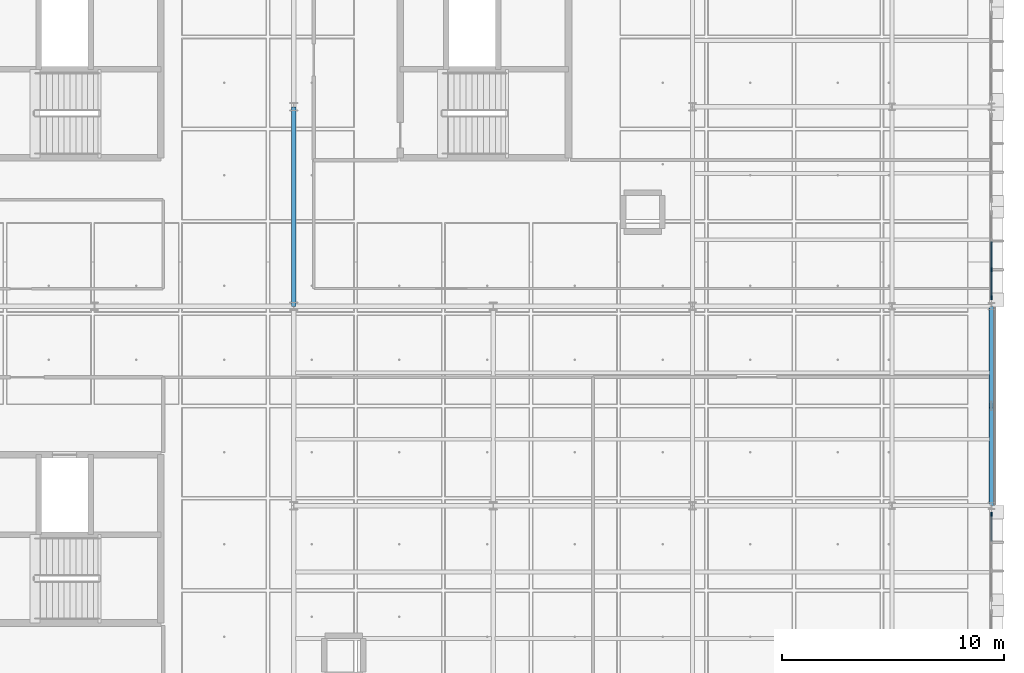
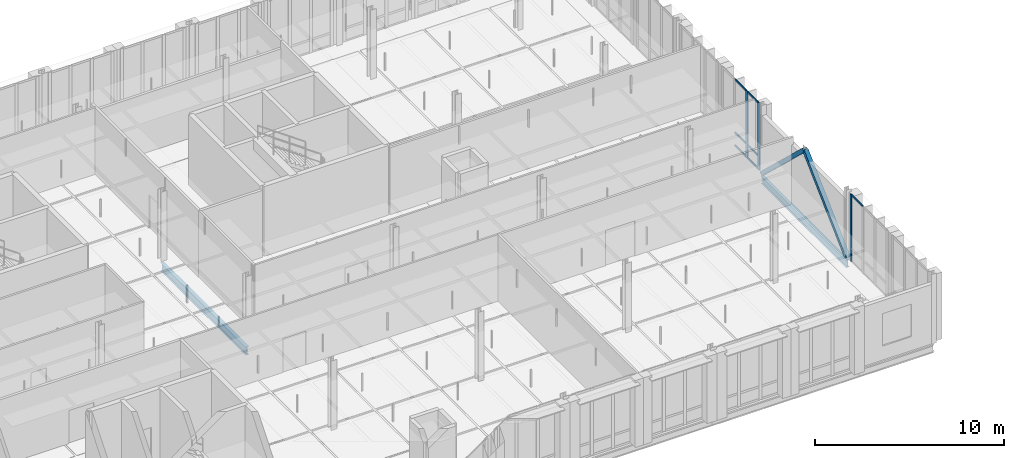
# One storey, part 50 of 130: 12 members, 2 beams, 2 elements without a shape of their own.
"""IFC4 building model written with IfcOpenShell, lengths in metres."""

from ifc_helpers import new_model, si_unit, direction, frame, origin, origin_2d, place, context, subcontext, project, spatial, rectangle, hollow_rectangle, i_section, extrude, material, material_profile, profile_set, type_object, element, aggregate, save


model = new_model("IFC4")

# Units and contexts
model_context = context("Model", 3, precision=1e-05, world=origin(), true_north=direction((0.0, 1.0)))
body_context = subcontext(model_context, "Body", "Model", "MODEL_VIEW")
ifc_project = project(units=[si_unit("LENGTHUNIT", "METRE"), si_unit("AREAUNIT", "SQUARE_METRE"), si_unit("VOLUMEUNIT", "CUBIC_METRE"), si_unit("PLANEANGLEUNIT", "RADIAN"), si_unit("MASSUNIT", "GRAM", prefix="KILO"), si_unit("THERMODYNAMICTEMPERATUREUNIT", "KELVIN"), si_unit("POWERUNIT", "WATT")], contexts=[model_context])

# Site, building, storey
site_placement = place(None, origin())
site = spatial("IfcSite", under=ifc_project, at=site_placement, CompositionType="ELEMENT")
building_placement = place(site_placement, origin())
building = spatial("IfcBuilding", under=site, at=building_placement, Name="Tallowbark Science Centre", CompositionType="ELEMENT")
storey_placement = place(building_placement, frame((0.0, 0.0, 5.39990234375)))
storey = spatial("IfcBuildingStorey", under=building, at=storey_placement, Name="L01", CompositionType="ELEMENT", Elevation=5.39990234375)

# Beam
ifc_material_1 = material(Name="Structural Steel Grade 300PLUS (300 MPa)", Category="steel")
ifc_material_profile_1 = material_profile(ifc_material_1, i_section(OverallWidth=0.208740234375, OverallDepth=0.5283203125, WebThickness=0.009521484375, FlangeThickness=0.01318359375, FilletRadius=0.013916015625, at=origin_2d()), Name="530UB82.0")
ifc_profile_set_1 = profile_set([ifc_material_profile_1], Name="Structural Steel Grade 300PLUS (300 MPa)")
beam_type_1 = type_object("IfcBeamType", Name="BM-UB530B", PredefinedType="BEAM", material=ifc_profile_set_1)
beam_1_placement = place(storey_placement, frame((130.5, 90.0, -0.444091796875), z_axis=(0.0, 1.0, 0.0), x_axis=(-1.0, 0.0, 0.0)))
element("IfcBeam", 1, at=beam_1_placement, inside=storey, type_object=beam_type_1, Name="Primary Girder GRDY-L01-1305-900-990", PredefinedType="BEAM", context=body_context, shape_type="SweptSolid", body=[
    extrude(i_section(OverallWidth=0.208740234375, OverallDepth=0.5283203125, WebThickness=0.009521484375, FlangeThickness=0.01318359375, FilletRadius=0.013916015625, at=origin_2d()), origin(), (0.0, 0.0, 1.0), 9.0),
])

# Members
ifc_material_2 = material(Name="Structural Steel Grade C350L0 (350 MPa)", Category="steel")
ifc_material_profile_2 = material_profile(ifc_material_2, hollow_rectangle(XDim=0.25, YDim=0.25, WallThickness=0.009033203125, at=origin_2d()), Name="250x250x9.0SHS")
ifc_profile_set_2 = profile_set([ifc_material_profile_2], Name="Structural Steel Grade C350L0 (350 MPa)")
member_type_1 = type_object("IfcMemberType", Name="CBF-250SHS", PredefinedType="BRACE", material=ifc_profile_set_2)
for number, where, z_axis, x_axis, name in (
    (2, (162.0, 81.0, 0.0), (0.0, 0.72701315255, 0.686623532964), (-1.0, 0.0, 0.0), "Concentric Chevron Brace CBF-OBS-E1A L01 Left"),
    (3, (162.0, 90.0, 0.0), (0.0, -0.72701315255, 0.686623532964), (1.0, 0.0, 0.0), "Concentric Chevron Brace CBF-OBS-E1A L01 Right"),
):
    element("IfcMember", number, at=place(storey_placement, frame(where, z_axis=z_axis, x_axis=x_axis)), inside=storey, type_object=member_type_1, Name=name, PredefinedType="BRACE", context=body_context, shape_type="SweptSolid", body=[
        extrude(hollow_rectangle(XDim=0.25, YDim=0.25, WallThickness=0.009033203125, at=origin_2d()), origin(), (0.0, 0.0, 1.0), 6.189697265625),
    ])

# Curtain wall, member
ifc_material_3 = material(Name="Unitised Thermally Broken Aluminium and Low-E Double Glazing", Category="aluminium")
curtain_wall_type = type_object("IfcCurtainWallType", Name="CW-SYS-FACADE", PredefinedType="NOTDEFINED", material=ifc_material_3)
curtain_wall_1_placement = place(storey_placement, origin())
curtain_wall_1 = element("IfcCurtainWall", 4, at=curtain_wall_1_placement, inside=storey, type_object=curtain_wall_type, Name="Unitised Curtain Wall OBS-E-72B CW-L01-133", PredefinedType="NOTDEFINED")
ifc_material_4 = material(Name="Anodised Architectural Aluminium Alloy 6063-T6", Category="aluminium")
ifc_material_profile_3 = material_profile(ifc_material_4, rectangle(XDim=0.06494140625, YDim=0.179931640625, at=origin_2d()), Name="ALU65x180")
ifc_profile_set_3 = profile_set([ifc_material_profile_3], Name="Anodised Architectural Aluminium Alloy 6063-T6")
member_type_2 = type_object("IfcMemberType", Name="CWM-MUL-220", PredefinedType="MULLION", material=ifc_profile_set_3)
member_1_placement = place(storey_placement, frame((162.0, 80.617431640625, 0.0), z_axis=(0.0, 0.0, 1.0), x_axis=(-1.0, 0.0, 0.0)))
member_1 = element("IfcMember", 5, at=member_1_placement, type_object=member_type_2, Name="CW-01 mullion 4", PredefinedType="MULLION", context=body_context, shape_type="SweptSolid", body=[
    extrude(rectangle(XDim=0.06494140625, YDim=0.179931640625, at=origin_2d()), origin(), (0.0, 0.0, 1.0), 4.320068359375),
])

# Curtain wall, members
curtain_wall_2_placement = place(storey_placement, origin())
curtain_wall_2 = element("IfcCurtainWall", 6, at=curtain_wall_2_placement, inside=storey, type_object=curtain_wall_type, Name="Unitised Curtain Wall OBS-E-90A CW-L01-134", PredefinedType="NOTDEFINED")
member_2_placement = place(storey_placement, frame((162.0, 90.382568359375, 0.0), z_axis=(0.0, 0.0, 1.0), x_axis=(-1.0, 0.0, 0.0)))
member_2 = element("IfcMember", 7, at=member_2_placement, type_object=member_type_2, Name="CW-01 mullion 1", PredefinedType="MULLION", context=body_context, shape_type="SweptSolid", body=[
    extrude(rectangle(XDim=0.06494140625, YDim=0.179931640625, at=origin_2d()), origin(), (0.0, 0.0, 1.0), 4.320068359375),
])
member_3_placement = place(storey_placement, frame((162.0, 91.64990234375, 0.0), z_axis=(0.0, 0.0, 1.0), x_axis=(-1.0, 0.0, 0.0)))
member_3 = element("IfcMember", 8, at=member_3_placement, type_object=member_type_2, Name="CW-01 mullion 2", PredefinedType="MULLION", context=body_context, shape_type="SweptSolid", body=[
    extrude(rectangle(XDim=0.06494140625, YDim=0.179931640625, at=origin_2d()), origin(), (0.0, 0.0, 1.0), 4.320068359375),
])

# Member
ifc_material_profile_4 = material_profile(ifc_material_4, rectangle(XDim=0.054931640625, YDim=0.1201171875, at=origin_2d()), Name="ALU55x120")
ifc_profile_set_4 = profile_set([ifc_material_profile_4], Name="Anodised Architectural Aluminium Alloy 6063-T6")
member_type_3 = type_object("IfcMemberType", Name="CWM-TRN-150", PredefinedType="USERDEFINED", material=ifc_profile_set_4)
member_4_placement = place(storey_placement, frame((162.0, 79.382568359375, 4.29248046875), z_axis=(0.0, 1.0, 0.0), x_axis=(-1.0, 0.0, 0.0)))
member_4 = element("IfcMember", 9, at=member_4_placement, type_object=member_type_3, Name="CW-01 transom 3.3", ObjectType="TRANSOM", PredefinedType="USERDEFINED", context=body_context, shape_type="SweptSolid", body=[
    extrude(rectangle(XDim=0.054931640625, YDim=0.1201171875, at=origin_2d()), origin(), (0.0, 0.0, 1.0), 1.202392578125),
])

aggregate(curtain_wall_1, [member_1, member_4])

member_5_placement = place(storey_placement, frame((162.0, 90.4150390625, 0.027587890625), z_axis=(0.0, 1.0, 0.0), x_axis=(-1.0, 0.0, 0.0)))
member_5 = element("IfcMember", 10, at=member_5_placement, type_object=member_type_3, Name="CW-01 transom 1.1", ObjectType="TRANSOM", PredefinedType="USERDEFINED", context=body_context, shape_type="SweptSolid", body=[
    extrude(rectangle(XDim=0.054931640625, YDim=0.1201171875, at=origin_2d()), origin(), (0.0, 0.0, 1.0), 1.202392578125),
])

member_6_placement = place(storey_placement, frame((162.0, 90.4150390625, 0.85009765625), z_axis=(0.0, 1.0, 0.0), x_axis=(-1.0, 0.0, 0.0)))
member_6 = element("IfcMember", 11, at=member_6_placement, type_object=member_type_3, Name="CW-01 transom 1.2", ObjectType="TRANSOM", PredefinedType="USERDEFINED", context=body_context, shape_type="SweptSolid", body=[
    extrude(rectangle(XDim=0.054931640625, YDim=0.1201171875, at=origin_2d()), origin(), (0.0, 0.0, 1.0), 1.202392578125),
])

member_7_placement = place(storey_placement, frame((162.0, 90.4150390625, 4.29248046875), z_axis=(0.0, 1.0, 0.0), x_axis=(-1.0, 0.0, 0.0)))
member_7 = element("IfcMember", 12, at=member_7_placement, type_object=member_type_3, Name="CW-01 transom 1.3", ObjectType="TRANSOM", PredefinedType="USERDEFINED", context=body_context, shape_type="SweptSolid", body=[
    extrude(rectangle(XDim=0.054931640625, YDim=0.1201171875, at=origin_2d()), origin(), (0.0, 0.0, 1.0), 1.202392578125),
])

member_8_placement = place(storey_placement, frame((162.0, 91.6826171875, 0.027587890625), z_axis=(0.0, 1.0, 0.0), x_axis=(-1.0, 0.0, 0.0)))
member_8 = element("IfcMember", 13, at=member_8_placement, type_object=member_type_3, Name="CW-01 transom 2.1", ObjectType="TRANSOM", PredefinedType="USERDEFINED", context=body_context, shape_type="SweptSolid", body=[
    extrude(rectangle(XDim=0.054931640625, YDim=0.1201171875, at=origin_2d()), origin(), (0.0, 0.0, 1.0), 1.23486328125),
])

member_9_placement = place(storey_placement, frame((162.0, 91.6826171875, 0.85009765625), z_axis=(0.0, 1.0, 0.0), x_axis=(-1.0, 0.0, 0.0)))
member_9 = element("IfcMember", 14, at=member_9_placement, type_object=member_type_3, Name="CW-01 transom 2.2", ObjectType="TRANSOM", PredefinedType="USERDEFINED", context=body_context, shape_type="SweptSolid", body=[
    extrude(rectangle(XDim=0.054931640625, YDim=0.1201171875, at=origin_2d()), origin(), (0.0, 0.0, 1.0), 1.23486328125),
])

member_10_placement = place(storey_placement, frame((162.0, 91.6826171875, 4.29248046875), z_axis=(0.0, 1.0, 0.0), x_axis=(-1.0, 0.0, 0.0)))
member_10 = element("IfcMember", 15, at=member_10_placement, type_object=member_type_3, Name="CW-01 transom 2.3", ObjectType="TRANSOM", PredefinedType="USERDEFINED", context=body_context, shape_type="SweptSolid", body=[
    extrude(rectangle(XDim=0.054931640625, YDim=0.1201171875, at=origin_2d()), origin(), (0.0, 0.0, 1.0), 1.23486328125),
])

aggregate(curtain_wall_2, [member_2, member_3, member_5, member_6, member_7, member_8, member_9, member_10])

# Beam
ifc_material_profile_5 = material_profile(ifc_material_1, i_section(OverallWidth=0.18994140625, OverallDepth=0.453857421875, WebThickness=0.008544921875, FlangeThickness=0.0126953125, FilletRadius=0.011474609375, at=origin_2d()), Name="460UB67.1")
ifc_profile_set_5 = profile_set([ifc_material_profile_5], Name="Structural Steel Grade 300PLUS (300 MPa)")
beam_type_2 = type_object("IfcBeamType", Name="SPN-UB460", PredefinedType="SPANDREL", material=ifc_profile_set_5)
beam_2_placement = place(storey_placement, frame((162.0, 81.0, -0.40673828125), z_axis=(0.0, 1.0, 0.0), x_axis=(-1.0, 0.0, 0.0)))
element("IfcBeam", 16, at=beam_2_placement, inside=storey, type_object=beam_type_2, Name="Primary Girder GRDY-L01-1620-810-900", PredefinedType="SPANDREL", context=body_context, shape_type="SweptSolid", body=[
    extrude(i_section(OverallWidth=0.18994140625, OverallDepth=0.453857421875, WebThickness=0.008544921875, FlangeThickness=0.0126953125, FilletRadius=0.011474609375, at=origin_2d()), origin(), (0.0, 0.0, 1.0), 9.0),
])

save(model, "model.ifc")
